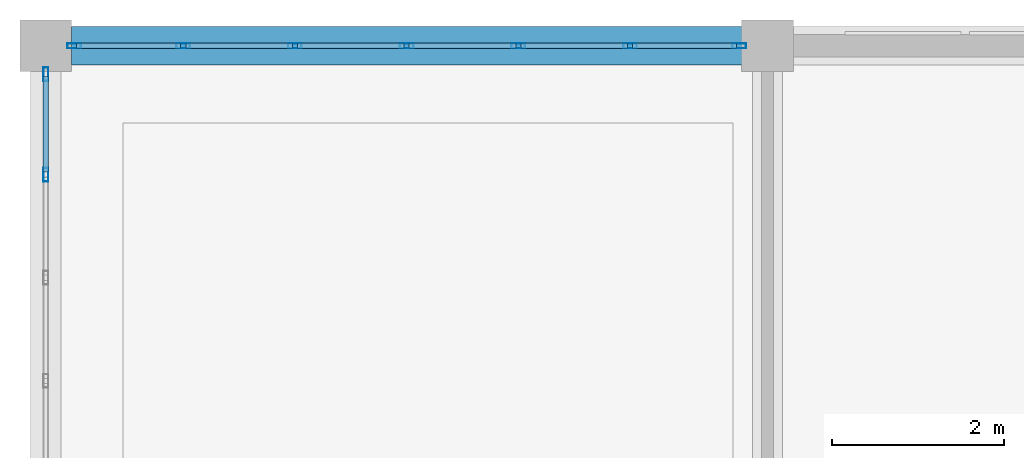
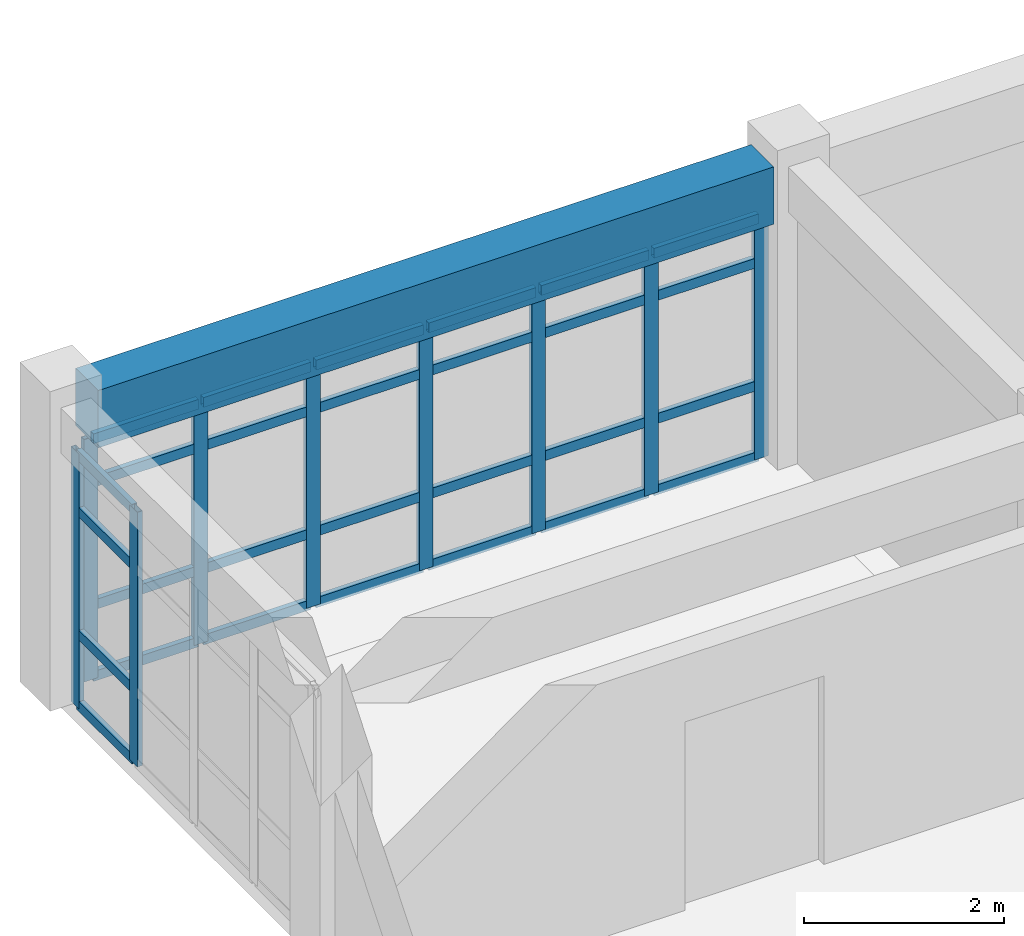
# One storey, part 11 of 17: 37 members, 1 beam, 2 elements without a shape of their own.
"""IFC4 building model written with IfcOpenShell, lengths in metres."""

from ifc_helpers import new_model, si_unit, direction, frame, origin, origin_2d, place, context, subcontext, project, spatial, rectangle, hollow_rectangle, extrude, material, layer, layer_set, material_profile, profile_set, type_object, element, aggregate, save


model = new_model("IFC4")

# Units and contexts
model_context = context("Model", 3, precision=1e-05, world=origin(), true_north=direction((0.0, 1.0)))
body_context = subcontext(model_context, "Body", "Model", "MODEL_VIEW")
ifc_project = project(units=[si_unit("LENGTHUNIT", "METRE"), si_unit("AREAUNIT", "SQUARE_METRE"), si_unit("VOLUMEUNIT", "CUBIC_METRE"), si_unit("PLANEANGLEUNIT", "RADIAN"), si_unit("MASSUNIT", "GRAM", prefix="KILO")], contexts=[model_context])

# Site, building, storey
site_placement = place(None, origin())
site = spatial("IfcSite", under=ifc_project, at=site_placement, CompositionType="ELEMENT")
building_placement = place(site_placement, origin())
building = spatial("IfcBuilding", under=site, at=building_placement, Name="Krzemoval Escarpment Law Courts", CompositionType="ELEMENT")
storey_placement = place(building_placement, frame((0.0, 0.0, 42.0)))
storey = spatial("IfcBuildingStorey", under=building, at=storey_placement, Name="L09", CompositionType="ELEMENT", Elevation=42.0)

# Beam
ifc_material_1 = material(Name="Concrete C40/50", Category="concrete")
ifc_material_profile_1 = material_profile(ifc_material_1, rectangle(XDim=0.449951171875, YDim=0.699951171875, at=origin_2d()), Name="RCB 450x700")
ifc_profile_set_1 = profile_set([ifc_material_profile_1], Name="Concrete C40/50")
beam_type = type_object("IfcBeamType", Name="BM-RC-450x700", PredefinedType="BEAM", material=ifc_profile_set_1)
beam_placement = place(storey_placement, frame((126.300048828125, 118.800048828125, 3.31005859375), z_axis=(1.0, 0.0, 0.0), x_axis=(0.0, 1.0, 0.0)))
element("IfcBeam", 1, at=beam_placement, inside=storey, type_object=beam_type, Name="Beam FG-L09-2798", PredefinedType="BEAM", context=body_context, shape_type="SweptSolid", body=[
    extrude(rectangle(XDim=0.449951171875, YDim=0.699951171875, at=origin_2d()), origin(), (0.0, 0.0, 1.0), 7.800048828125),
])

# Curtain wall, members
ifc_material_2 = material(Name="Aluminium 6063-T6", Category="aluminium")
ifc_layer = layer(ifc_material_2, 0.199951171875)
ifc_layer_set = layer_set([ifc_layer], Name="Aluminium 6063-T6")
curtain_wall_type = type_object("IfcCurtainWallType", Name="CW-CRWN-3900", PredefinedType="USERDEFINED", material=ifc_layer_set)
curtain_wall_1_placement = place(storey_placement, origin())
curtain_wall_1 = element("IfcCurtainWall", 2, at=curtain_wall_1_placement, inside=storey, type_object=curtain_wall_type, Name="Unitised Curtain Wall FCW-L09-170", ObjectType="UNITISED_CURTAIN_WALL", PredefinedType="USERDEFINED")
ifc_material_3 = material(Name="Aluminium 6063-T6", Category="aluminium")
ifc_material_profile_2 = material_profile(ifc_material_3, hollow_rectangle(XDim=0.06005859375, YDim=0.159912109375, WallThickness=0.00390625, at=origin_2d()), Name="ALU M60x160")
ifc_profile_set_2 = profile_set([ifc_material_profile_2], Name="Aluminium 6063-T6")
member_type_1 = type_object("IfcMemberType", Name="CWM-60x160", PredefinedType="MULLION", material=ifc_profile_set_2)
member_1_placement = place(storey_placement, frame((126.0, 117.300048828125, 0.0), z_axis=(0.0, 0.0, 1.0), x_axis=(-1.0, 0.0, 0.0)))
member_1 = element("IfcMember", 3, at=member_1_placement, type_object=member_type_1, Name="FCW-L09-170 mullion 4", PredefinedType="MULLION", context=body_context, shape_type="SweptSolid", body=[
    extrude(hollow_rectangle(XDim=0.06005859375, YDim=0.159912109375, WallThickness=0.00390625, at=origin_2d()), origin(), (0.0, 0.0, 1.0), 3.110107421875),
])
member_2_placement = place(storey_placement, frame((126.0, 118.469970703125, 0.0), z_axis=(0.0, 0.0, 1.0), x_axis=(-1.0, 0.0, 0.0)))
member_2 = element("IfcMember", 4, at=member_2_placement, type_object=member_type_1, Name="FCW-L09-170 mullion 5", PredefinedType="MULLION", context=body_context, shape_type="SweptSolid", body=[
    extrude(hollow_rectangle(XDim=0.06005859375, YDim=0.159912109375, WallThickness=0.00390625, at=origin_2d()), origin(), (0.0, 0.0, 1.0), 3.110107421875),
])

curtain_wall_2_placement = place(storey_placement, origin())
curtain_wall_2 = element("IfcCurtainWall", 5, at=curtain_wall_2_placement, inside=storey, type_object=curtain_wall_type, Name="Unitised Curtain Wall FCW-L09-171", ObjectType="UNITISED_CURTAIN_WALL", PredefinedType="USERDEFINED")
member_3_placement = place(storey_placement, frame((126.330078125, 118.800048828125, 0.0), z_axis=(0.0, 0.0, 1.0), x_axis=(0.0, 1.0, 0.0)))
member_3 = element("IfcMember", 6, at=member_3_placement, type_object=member_type_1, Name="FCW-L09-171 mullion 1", PredefinedType="MULLION", context=body_context, shape_type="SweptSolid", body=[
    extrude(hollow_rectangle(XDim=0.06005859375, YDim=0.159912109375, WallThickness=0.00390625, at=origin_2d()), origin(), (0.0, 0.0, 1.0), 2.9599609375),
])
member_4_placement = place(storey_placement, frame((127.60009765625, 118.800048828125, 0.0), z_axis=(0.0, 0.0, 1.0), x_axis=(0.0, 1.0, 0.0)))
member_4 = element("IfcMember", 7, at=member_4_placement, type_object=member_type_1, Name="FCW-L09-171 mullion 2", PredefinedType="MULLION", context=body_context, shape_type="SweptSolid", body=[
    extrude(hollow_rectangle(XDim=0.06005859375, YDim=0.159912109375, WallThickness=0.00390625, at=origin_2d()), origin(), (0.0, 0.0, 1.0), 2.9599609375),
])
member_5_placement = place(storey_placement, frame((128.89990234375, 118.800048828125, 0.0), z_axis=(0.0, 0.0, 1.0), x_axis=(0.0, 1.0, 0.0)))
member_5 = element("IfcMember", 8, at=member_5_placement, type_object=member_type_1, Name="FCW-L09-171 mullion 3", PredefinedType="MULLION", context=body_context, shape_type="SweptSolid", body=[
    extrude(hollow_rectangle(XDim=0.06005859375, YDim=0.159912109375, WallThickness=0.00390625, at=origin_2d()), origin(), (0.0, 0.0, 1.0), 2.9599609375),
])
member_6_placement = place(storey_placement, frame((130.199951171875, 118.800048828125, 0.0), z_axis=(0.0, 0.0, 1.0), x_axis=(0.0, 1.0, 0.0)))
member_6 = element("IfcMember", 9, at=member_6_placement, type_object=member_type_1, Name="FCW-L09-171 mullion 4", PredefinedType="MULLION", context=body_context, shape_type="SweptSolid", body=[
    extrude(hollow_rectangle(XDim=0.06005859375, YDim=0.159912109375, WallThickness=0.00390625, at=origin_2d()), origin(), (0.0, 0.0, 1.0), 2.9599609375),
])
member_7_placement = place(storey_placement, frame((131.5, 118.800048828125, 0.0), z_axis=(0.0, 0.0, 1.0), x_axis=(0.0, 1.0, 0.0)))
member_7 = element("IfcMember", 10, at=member_7_placement, type_object=member_type_1, Name="FCW-L09-171 mullion 5", PredefinedType="MULLION", context=body_context, shape_type="SweptSolid", body=[
    extrude(hollow_rectangle(XDim=0.06005859375, YDim=0.159912109375, WallThickness=0.00390625, at=origin_2d()), origin(), (0.0, 0.0, 1.0), 2.9599609375),
])
member_8_placement = place(storey_placement, frame((132.800048828125, 118.800048828125, 0.0), z_axis=(0.0, 0.0, 1.0), x_axis=(0.0, 1.0, 0.0)))
member_8 = element("IfcMember", 11, at=member_8_placement, type_object=member_type_1, Name="FCW-L09-171 mullion 6", PredefinedType="MULLION", context=body_context, shape_type="SweptSolid", body=[
    extrude(hollow_rectangle(XDim=0.06005859375, YDim=0.159912109375, WallThickness=0.00390625, at=origin_2d()), origin(), (0.0, 0.0, 1.0), 2.9599609375),
])
member_9_placement = place(storey_placement, frame((134.070068359375, 118.800048828125, 0.0), z_axis=(0.0, 0.0, 1.0), x_axis=(0.0, 1.0, 0.0)))
member_9 = element("IfcMember", 12, at=member_9_placement, type_object=member_type_1, Name="FCW-L09-171 mullion 7", PredefinedType="MULLION", context=body_context, shape_type="SweptSolid", body=[
    extrude(hollow_rectangle(XDim=0.06005859375, YDim=0.159912109375, WallThickness=0.00390625, at=origin_2d()), origin(), (0.0, 0.0, 1.0), 2.9599609375),
])

# Member
ifc_material_4 = material(Name="Aluminium 6063-T6", Category="aluminium")
ifc_material_profile_3 = material_profile(ifc_material_4, hollow_rectangle(XDim=0.06005859375, YDim=0.1201171875, WallThickness=0.00390625, at=origin_2d()), Name="ALU T60x120")
ifc_profile_set_3 = profile_set([ifc_material_profile_3], Name="Aluminium 6063-T6")
member_type_2 = type_object("IfcMemberType", Name="CWT-60x120", PredefinedType="USERDEFINED", material=ifc_profile_set_3)
member_10_placement = place(storey_placement, frame((126.0, 117.330078125, 0.030029296875), z_axis=(0.0, 1.0, 0.0), x_axis=(-1.0, 0.0, 0.0)))
member_10 = element("IfcMember", 13, at=member_10_placement, type_object=member_type_2, Name="FCW-L09-170 transom 4.1", ObjectType="TRANSOM", PredefinedType="USERDEFINED", context=body_context, shape_type="SweptSolid", body=[
    extrude(hollow_rectangle(XDim=0.06005859375, YDim=0.1201171875, WallThickness=0.00390625, at=origin_2d()), origin(), (0.0, 0.0, 1.0), 1.10986328125),
])

member_11_placement = place(storey_placement, frame((126.0, 117.330078125, 0.89990234375), z_axis=(0.0, 1.0, 0.0), x_axis=(-1.0, 0.0, 0.0)))
member_11 = element("IfcMember", 14, at=member_11_placement, type_object=member_type_2, Name="FCW-L09-170 transom 4.2", ObjectType="TRANSOM", PredefinedType="USERDEFINED", context=body_context, shape_type="SweptSolid", body=[
    extrude(hollow_rectangle(XDim=0.06005859375, YDim=0.1201171875, WallThickness=0.00390625, at=origin_2d()), origin(), (0.0, 0.0, 1.0), 1.10986328125),
])

member_12_placement = place(storey_placement, frame((126.0, 117.330078125, 2.39990234375), z_axis=(0.0, 1.0, 0.0), x_axis=(-1.0, 0.0, 0.0)))
member_12 = element("IfcMember", 15, at=member_12_placement, type_object=member_type_2, Name="FCW-L09-170 transom 4.3", ObjectType="TRANSOM", PredefinedType="USERDEFINED", context=body_context, shape_type="SweptSolid", body=[
    extrude(hollow_rectangle(XDim=0.06005859375, YDim=0.1201171875, WallThickness=0.00390625, at=origin_2d()), origin(), (0.0, 0.0, 1.0), 1.10986328125),
])

member_13_placement = place(storey_placement, frame((126.0, 117.330078125, 3.080078125), z_axis=(0.0, 1.0, 0.0), x_axis=(-1.0, 0.0, 0.0)))
member_13 = element("IfcMember", 16, at=member_13_placement, type_object=member_type_2, Name="FCW-L09-170 transom 4.4", ObjectType="TRANSOM", PredefinedType="USERDEFINED", context=body_context, shape_type="SweptSolid", body=[
    extrude(hollow_rectangle(XDim=0.06005859375, YDim=0.1201171875, WallThickness=0.00390625, at=origin_2d()), origin(), (0.0, 0.0, 1.0), 1.10986328125),
])

aggregate(curtain_wall_1, [member_1, member_2, member_10, member_11, member_12, member_13])

member_14_placement = place(storey_placement, frame((126.360107421875, 118.800048828125, 0.030029296875), z_axis=(1.0, 0.0, 0.0), x_axis=(0.0, 1.0, 0.0)))
member_14 = element("IfcMember", 17, at=member_14_placement, type_object=member_type_2, Name="FCW-L09-171 transom 1.1", ObjectType="TRANSOM", PredefinedType="USERDEFINED", context=body_context, shape_type="SweptSolid", body=[
    extrude(hollow_rectangle(XDim=0.06005859375, YDim=0.1201171875, WallThickness=0.00390625, at=origin_2d()), origin(), (0.0, 0.0, 1.0), 1.2099609375),
])

member_15_placement = place(storey_placement, frame((126.360107421875, 118.800048828125, 0.89990234375), z_axis=(1.0, 0.0, 0.0), x_axis=(0.0, 1.0, 0.0)))
member_15 = element("IfcMember", 18, at=member_15_placement, type_object=member_type_2, Name="FCW-L09-171 transom 1.2", ObjectType="TRANSOM", PredefinedType="USERDEFINED", context=body_context, shape_type="SweptSolid", body=[
    extrude(hollow_rectangle(XDim=0.06005859375, YDim=0.1201171875, WallThickness=0.00390625, at=origin_2d()), origin(), (0.0, 0.0, 1.0), 1.2099609375),
])

member_16_placement = place(storey_placement, frame((126.360107421875, 118.800048828125, 2.39990234375), z_axis=(1.0, 0.0, 0.0), x_axis=(0.0, 1.0, 0.0)))
member_16 = element("IfcMember", 19, at=member_16_placement, type_object=member_type_2, Name="FCW-L09-171 transom 1.3", ObjectType="TRANSOM", PredefinedType="USERDEFINED", context=body_context, shape_type="SweptSolid", body=[
    extrude(hollow_rectangle(XDim=0.06005859375, YDim=0.1201171875, WallThickness=0.00390625, at=origin_2d()), origin(), (0.0, 0.0, 1.0), 1.2099609375),
])

member_17_placement = place(storey_placement, frame((126.360107421875, 118.800048828125, 2.929931640625), z_axis=(1.0, 0.0, 0.0), x_axis=(0.0, 1.0, 0.0)))
member_17 = element("IfcMember", 20, at=member_17_placement, type_object=member_type_2, Name="FCW-L09-171 transom 1.4", ObjectType="TRANSOM", PredefinedType="USERDEFINED", context=body_context, shape_type="SweptSolid", body=[
    extrude(hollow_rectangle(XDim=0.06005859375, YDim=0.1201171875, WallThickness=0.00390625, at=origin_2d()), origin(), (0.0, 0.0, 1.0), 1.2099609375),
])

member_18_placement = place(storey_placement, frame((127.6298828125, 118.800048828125, 0.030029296875), z_axis=(1.0, 0.0, 0.0), x_axis=(0.0, 1.0, 0.0)))
member_18 = element("IfcMember", 21, at=member_18_placement, type_object=member_type_2, Name="FCW-L09-171 transom 2.1", ObjectType="TRANSOM", PredefinedType="USERDEFINED", context=body_context, shape_type="SweptSolid", body=[
    extrude(hollow_rectangle(XDim=0.06005859375, YDim=0.1201171875, WallThickness=0.00390625, at=origin_2d()), origin(), (0.0, 0.0, 1.0), 1.240234375),
])

member_19_placement = place(storey_placement, frame((127.6298828125, 118.800048828125, 0.89990234375), z_axis=(1.0, 0.0, 0.0), x_axis=(0.0, 1.0, 0.0)))
member_19 = element("IfcMember", 22, at=member_19_placement, type_object=member_type_2, Name="FCW-L09-171 transom 2.2", ObjectType="TRANSOM", PredefinedType="USERDEFINED", context=body_context, shape_type="SweptSolid", body=[
    extrude(hollow_rectangle(XDim=0.06005859375, YDim=0.1201171875, WallThickness=0.00390625, at=origin_2d()), origin(), (0.0, 0.0, 1.0), 1.240234375),
])

member_20_placement = place(storey_placement, frame((127.6298828125, 118.800048828125, 2.39990234375), z_axis=(1.0, 0.0, 0.0), x_axis=(0.0, 1.0, 0.0)))
member_20 = element("IfcMember", 23, at=member_20_placement, type_object=member_type_2, Name="FCW-L09-171 transom 2.3", ObjectType="TRANSOM", PredefinedType="USERDEFINED", context=body_context, shape_type="SweptSolid", body=[
    extrude(hollow_rectangle(XDim=0.06005859375, YDim=0.1201171875, WallThickness=0.00390625, at=origin_2d()), origin(), (0.0, 0.0, 1.0), 1.240234375),
])

member_21_placement = place(storey_placement, frame((127.6298828125, 118.800048828125, 2.929931640625), z_axis=(1.0, 0.0, 0.0), x_axis=(0.0, 1.0, 0.0)))
member_21 = element("IfcMember", 24, at=member_21_placement, type_object=member_type_2, Name="FCW-L09-171 transom 2.4", ObjectType="TRANSOM", PredefinedType="USERDEFINED", context=body_context, shape_type="SweptSolid", body=[
    extrude(hollow_rectangle(XDim=0.06005859375, YDim=0.1201171875, WallThickness=0.00390625, at=origin_2d()), origin(), (0.0, 0.0, 1.0), 1.240234375),
])

member_22_placement = place(storey_placement, frame((128.929931640625, 118.800048828125, 0.030029296875), z_axis=(1.0, 0.0, 0.0), x_axis=(0.0, 1.0, 0.0)))
member_22 = element("IfcMember", 25, at=member_22_placement, type_object=member_type_2, Name="FCW-L09-171 transom 3.1", ObjectType="TRANSOM", PredefinedType="USERDEFINED", context=body_context, shape_type="SweptSolid", body=[
    extrude(hollow_rectangle(XDim=0.06005859375, YDim=0.1201171875, WallThickness=0.00390625, at=origin_2d()), origin(), (0.0, 0.0, 1.0), 1.239990234375),
])

member_23_placement = place(storey_placement, frame((128.929931640625, 118.800048828125, 0.89990234375), z_axis=(1.0, 0.0, 0.0), x_axis=(0.0, 1.0, 0.0)))
member_23 = element("IfcMember", 26, at=member_23_placement, type_object=member_type_2, Name="FCW-L09-171 transom 3.2", ObjectType="TRANSOM", PredefinedType="USERDEFINED", context=body_context, shape_type="SweptSolid", body=[
    extrude(hollow_rectangle(XDim=0.06005859375, YDim=0.1201171875, WallThickness=0.00390625, at=origin_2d()), origin(), (0.0, 0.0, 1.0), 1.239990234375),
])

member_24_placement = place(storey_placement, frame((128.929931640625, 118.800048828125, 2.39990234375), z_axis=(1.0, 0.0, 0.0), x_axis=(0.0, 1.0, 0.0)))
member_24 = element("IfcMember", 27, at=member_24_placement, type_object=member_type_2, Name="FCW-L09-171 transom 3.3", ObjectType="TRANSOM", PredefinedType="USERDEFINED", context=body_context, shape_type="SweptSolid", body=[
    extrude(hollow_rectangle(XDim=0.06005859375, YDim=0.1201171875, WallThickness=0.00390625, at=origin_2d()), origin(), (0.0, 0.0, 1.0), 1.239990234375),
])

member_25_placement = place(storey_placement, frame((128.929931640625, 118.800048828125, 2.929931640625), z_axis=(1.0, 0.0, 0.0), x_axis=(0.0, 1.0, 0.0)))
member_25 = element("IfcMember", 28, at=member_25_placement, type_object=member_type_2, Name="FCW-L09-171 transom 3.4", ObjectType="TRANSOM", PredefinedType="USERDEFINED", context=body_context, shape_type="SweptSolid", body=[
    extrude(hollow_rectangle(XDim=0.06005859375, YDim=0.1201171875, WallThickness=0.00390625, at=origin_2d()), origin(), (0.0, 0.0, 1.0), 1.239990234375),
])

member_26_placement = place(storey_placement, frame((130.22998046875, 118.800048828125, 0.030029296875), z_axis=(1.0, 0.0, 0.0), x_axis=(0.0, 1.0, 0.0)))
member_26 = element("IfcMember", 29, at=member_26_placement, type_object=member_type_2, Name="FCW-L09-171 transom 4.1", ObjectType="TRANSOM", PredefinedType="USERDEFINED", context=body_context, shape_type="SweptSolid", body=[
    extrude(hollow_rectangle(XDim=0.06005859375, YDim=0.1201171875, WallThickness=0.00390625, at=origin_2d()), origin(), (0.0, 0.0, 1.0), 1.239990234375),
])

member_27_placement = place(storey_placement, frame((130.22998046875, 118.800048828125, 0.89990234375), z_axis=(1.0, 0.0, 0.0), x_axis=(0.0, 1.0, 0.0)))
member_27 = element("IfcMember", 30, at=member_27_placement, type_object=member_type_2, Name="FCW-L09-171 transom 4.2", ObjectType="TRANSOM", PredefinedType="USERDEFINED", context=body_context, shape_type="SweptSolid", body=[
    extrude(hollow_rectangle(XDim=0.06005859375, YDim=0.1201171875, WallThickness=0.00390625, at=origin_2d()), origin(), (0.0, 0.0, 1.0), 1.239990234375),
])

member_28_placement = place(storey_placement, frame((130.22998046875, 118.800048828125, 2.39990234375), z_axis=(1.0, 0.0, 0.0), x_axis=(0.0, 1.0, 0.0)))
member_28 = element("IfcMember", 31, at=member_28_placement, type_object=member_type_2, Name="FCW-L09-171 transom 4.3", ObjectType="TRANSOM", PredefinedType="USERDEFINED", context=body_context, shape_type="SweptSolid", body=[
    extrude(hollow_rectangle(XDim=0.06005859375, YDim=0.1201171875, WallThickness=0.00390625, at=origin_2d()), origin(), (0.0, 0.0, 1.0), 1.239990234375),
])

member_29_placement = place(storey_placement, frame((130.22998046875, 118.800048828125, 2.929931640625), z_axis=(1.0, 0.0, 0.0), x_axis=(0.0, 1.0, 0.0)))
member_29 = element("IfcMember", 32, at=member_29_placement, type_object=member_type_2, Name="FCW-L09-171 transom 4.4", ObjectType="TRANSOM", PredefinedType="USERDEFINED", context=body_context, shape_type="SweptSolid", body=[
    extrude(hollow_rectangle(XDim=0.06005859375, YDim=0.1201171875, WallThickness=0.00390625, at=origin_2d()), origin(), (0.0, 0.0, 1.0), 1.239990234375),
])

member_30_placement = place(storey_placement, frame((131.530029296875, 118.800048828125, 0.030029296875), z_axis=(1.0, 0.0, 0.0), x_axis=(0.0, 1.0, 0.0)))
member_30 = element("IfcMember", 33, at=member_30_placement, type_object=member_type_2, Name="FCW-L09-171 transom 5.1", ObjectType="TRANSOM", PredefinedType="USERDEFINED", context=body_context, shape_type="SweptSolid", body=[
    extrude(hollow_rectangle(XDim=0.06005859375, YDim=0.1201171875, WallThickness=0.00390625, at=origin_2d()), origin(), (0.0, 0.0, 1.0), 1.239990234375),
])

member_31_placement = place(storey_placement, frame((131.530029296875, 118.800048828125, 0.89990234375), z_axis=(1.0, 0.0, 0.0), x_axis=(0.0, 1.0, 0.0)))
member_31 = element("IfcMember", 34, at=member_31_placement, type_object=member_type_2, Name="FCW-L09-171 transom 5.2", ObjectType="TRANSOM", PredefinedType="USERDEFINED", context=body_context, shape_type="SweptSolid", body=[
    extrude(hollow_rectangle(XDim=0.06005859375, YDim=0.1201171875, WallThickness=0.00390625, at=origin_2d()), origin(), (0.0, 0.0, 1.0), 1.239990234375),
])

member_32_placement = place(storey_placement, frame((131.530029296875, 118.800048828125, 2.39990234375), z_axis=(1.0, 0.0, 0.0), x_axis=(0.0, 1.0, 0.0)))
member_32 = element("IfcMember", 35, at=member_32_placement, type_object=member_type_2, Name="FCW-L09-171 transom 5.3", ObjectType="TRANSOM", PredefinedType="USERDEFINED", context=body_context, shape_type="SweptSolid", body=[
    extrude(hollow_rectangle(XDim=0.06005859375, YDim=0.1201171875, WallThickness=0.00390625, at=origin_2d()), origin(), (0.0, 0.0, 1.0), 1.239990234375),
])

member_33_placement = place(storey_placement, frame((131.530029296875, 118.800048828125, 2.929931640625), z_axis=(1.0, 0.0, 0.0), x_axis=(0.0, 1.0, 0.0)))
member_33 = element("IfcMember", 36, at=member_33_placement, type_object=member_type_2, Name="FCW-L09-171 transom 5.4", ObjectType="TRANSOM", PredefinedType="USERDEFINED", context=body_context, shape_type="SweptSolid", body=[
    extrude(hollow_rectangle(XDim=0.06005859375, YDim=0.1201171875, WallThickness=0.00390625, at=origin_2d()), origin(), (0.0, 0.0, 1.0), 1.239990234375),
])

member_34_placement = place(storey_placement, frame((132.830078125, 118.800048828125, 0.030029296875), z_axis=(1.0, 0.0, 0.0), x_axis=(0.0, 1.0, 0.0)))
member_34 = element("IfcMember", 37, at=member_34_placement, type_object=member_type_2, Name="FCW-L09-171 transom 6.1", ObjectType="TRANSOM", PredefinedType="USERDEFINED", context=body_context, shape_type="SweptSolid", body=[
    extrude(hollow_rectangle(XDim=0.06005859375, YDim=0.1201171875, WallThickness=0.00390625, at=origin_2d()), origin(), (0.0, 0.0, 1.0), 1.2099609375),
])

member_35_placement = place(storey_placement, frame((132.830078125, 118.800048828125, 0.89990234375), z_axis=(1.0, 0.0, 0.0), x_axis=(0.0, 1.0, 0.0)))
member_35 = element("IfcMember", 38, at=member_35_placement, type_object=member_type_2, Name="FCW-L09-171 transom 6.2", ObjectType="TRANSOM", PredefinedType="USERDEFINED", context=body_context, shape_type="SweptSolid", body=[
    extrude(hollow_rectangle(XDim=0.06005859375, YDim=0.1201171875, WallThickness=0.00390625, at=origin_2d()), origin(), (0.0, 0.0, 1.0), 1.2099609375),
])

member_36_placement = place(storey_placement, frame((132.830078125, 118.800048828125, 2.39990234375), z_axis=(1.0, 0.0, 0.0), x_axis=(0.0, 1.0, 0.0)))
member_36 = element("IfcMember", 39, at=member_36_placement, type_object=member_type_2, Name="FCW-L09-171 transom 6.3", ObjectType="TRANSOM", PredefinedType="USERDEFINED", context=body_context, shape_type="SweptSolid", body=[
    extrude(hollow_rectangle(XDim=0.06005859375, YDim=0.1201171875, WallThickness=0.00390625, at=origin_2d()), origin(), (0.0, 0.0, 1.0), 1.2099609375),
])

member_37_placement = place(storey_placement, frame((132.830078125, 118.800048828125, 2.929931640625), z_axis=(1.0, 0.0, 0.0), x_axis=(0.0, 1.0, 0.0)))
member_37 = element("IfcMember", 40, at=member_37_placement, type_object=member_type_2, Name="FCW-L09-171 transom 6.4", ObjectType="TRANSOM", PredefinedType="USERDEFINED", context=body_context, shape_type="SweptSolid", body=[
    extrude(hollow_rectangle(XDim=0.06005859375, YDim=0.1201171875, WallThickness=0.00390625, at=origin_2d()), origin(), (0.0, 0.0, 1.0), 1.2099609375),
])

aggregate(curtain_wall_2, [member_3, member_4, member_5, member_6, member_7, member_8, member_9, member_14, member_15, member_16, member_17, member_18, member_19, member_20, member_21, member_22, member_23, member_24, member_25, member_26, member_27, member_28, member_29, member_30, member_31, member_32, member_33, member_34, member_35, member_36, member_37])

save(model, "model.ifc")
